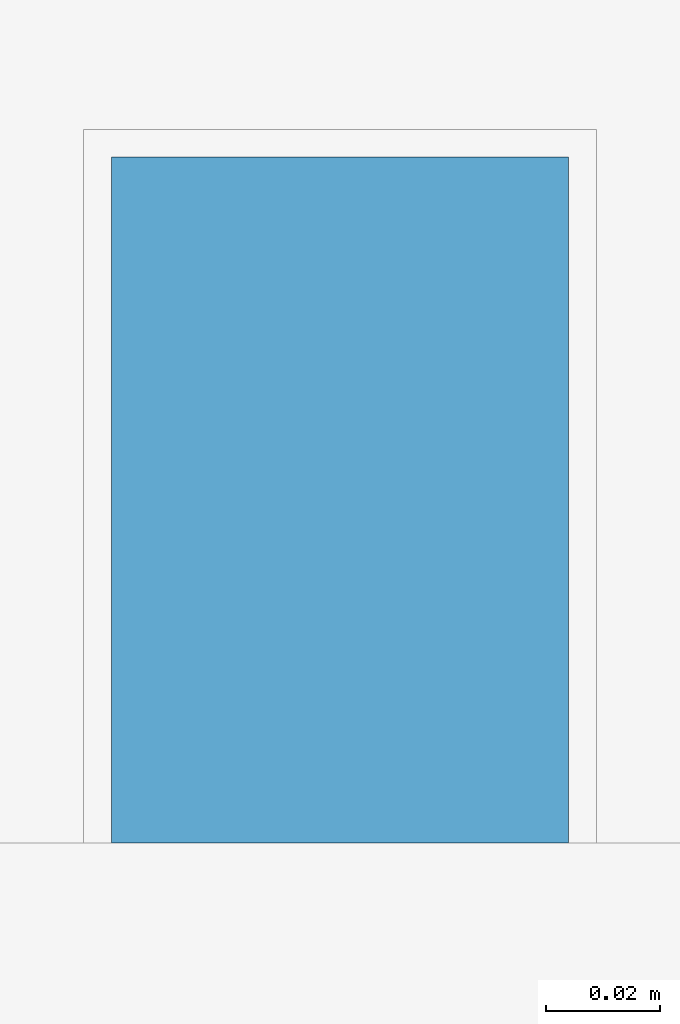
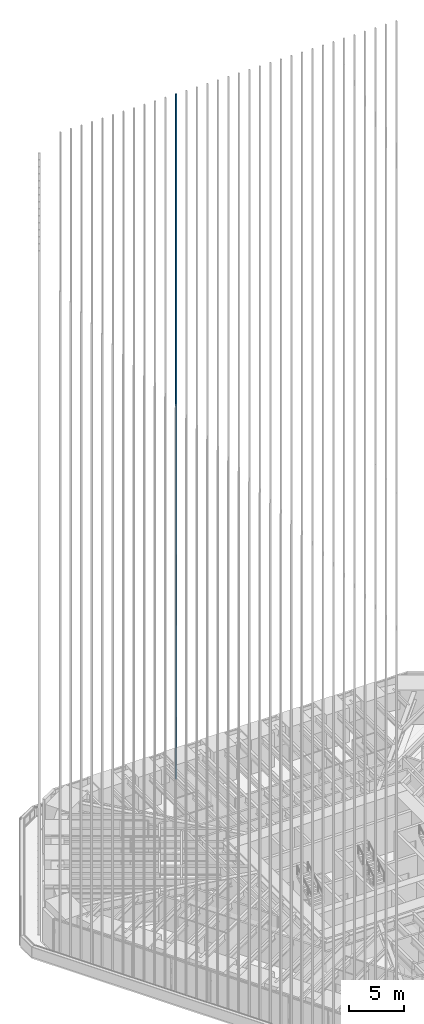
# One storey, part 166 of 238: 1 member, 1 element without a shape of its own.
"""IFC4 building model written with IfcOpenShell, lengths in metres."""

from ifc_helpers import new_model, si_unit, direction, frame, origin, origin_2d, place, context, subcontext, project, spatial, rectangle, extrude, material, material_profile, profile_set, type_object, element, aggregate, save


model = new_model("IFC4")

# Units and contexts
model_context = context("Model", 3, precision=1e-05, world=origin(), true_north=direction((0.0, 1.0)))
body_context = subcontext(model_context, "Body", "Model", "MODEL_VIEW")
ifc_project = project(units=[si_unit("LENGTHUNIT", "METRE"), si_unit("AREAUNIT", "SQUARE_METRE"), si_unit("VOLUMEUNIT", "CUBIC_METRE"), si_unit("PLANEANGLEUNIT", "RADIAN"), si_unit("MASSUNIT", "GRAM", prefix="KILO")], contexts=[model_context])

# Site, building, storey
site_placement = place(None, origin())
site = spatial("IfcSite", under=ifc_project, at=site_placement, CompositionType="ELEMENT")
building_placement = place(site_placement, origin())
building = spatial("IfcBuilding", under=site, at=building_placement, Name="Sandreach Pilgrim Tower", CompositionType="ELEMENT")
storey_placement = place(building_placement, frame((0.0, 0.0, 96.800048828125)))
storey = spatial("IfcBuildingStorey", under=building, at=storey_placement, Name="L23", CompositionType="ELEMENT", Elevation=96.800048828125)

# Curtain wall, member
ifc_material_1 = material(Name="Aluminium framed curtain wall", Category="aluminium")
curtain_wall_type = type_object("IfcCurtainWallType", Name="Hotel tower curtain wall", PredefinedType="NOTDEFINED", material=ifc_material_1)
curtain_wall_placement = place(storey_placement, origin())
curtain_wall = element("IfcCurtainWall", 1, at=curtain_wall_placement, inside=storey, type_object=curtain_wall_type, Name="CW-2 L23 N", PredefinedType="NOTDEFINED")
ifc_material_2 = material(Name="Extruded terracotta on aluminium core", Category="masonry")
ifc_material_profile = material_profile(ifc_material_2, rectangle(XDim=0.080078125, YDim=0.1201171875, at=origin_2d()), Name="TBN 80X120")
ifc_profile_set = profile_set([ifc_material_profile], Name="Extruded terracotta on aluminium core")
member_type = type_object("IfcMemberType", Name="Terracotta baguette north", PredefinedType="USERDEFINED", material=ifc_profile_set)
member_placement = place(storey_placement, frame((-5.496826171875, 22.853759765625, 0.0), z_axis=(0.0, 0.0, 1.0), x_axis=(1.0, 0.0, 0.0)))
member = element("IfcMember", 2, at=member_placement, type_object=member_type, Name="Baguette Z2 N12", ObjectType="BAGUETTE", PredefinedType="USERDEFINED", context=body_context, shape_type="SweptSolid", body=[
    extrude(rectangle(XDim=0.080078125, YDim=0.1201171875, at=origin_2d()), origin(), (0.0, 0.0, 1.0), 75.83984375),
])
aggregate(curtain_wall, [member])

save(model, "model.ifc")
